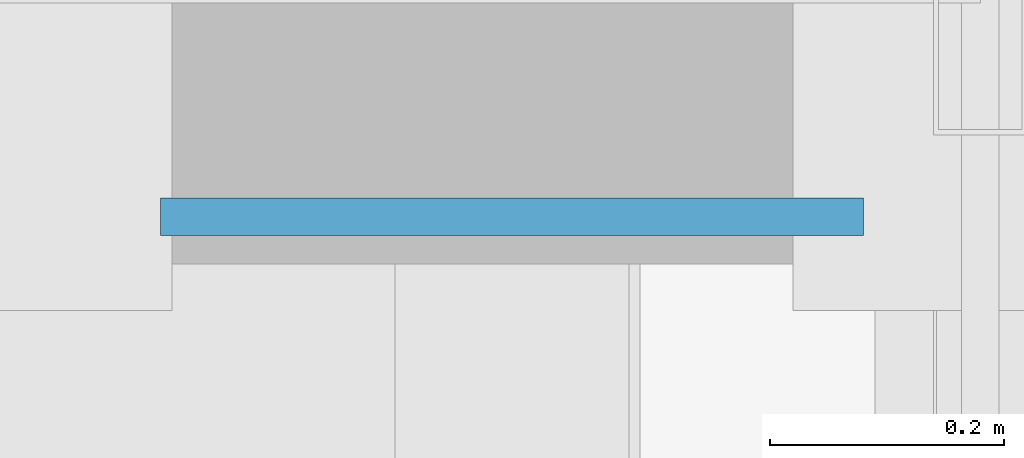
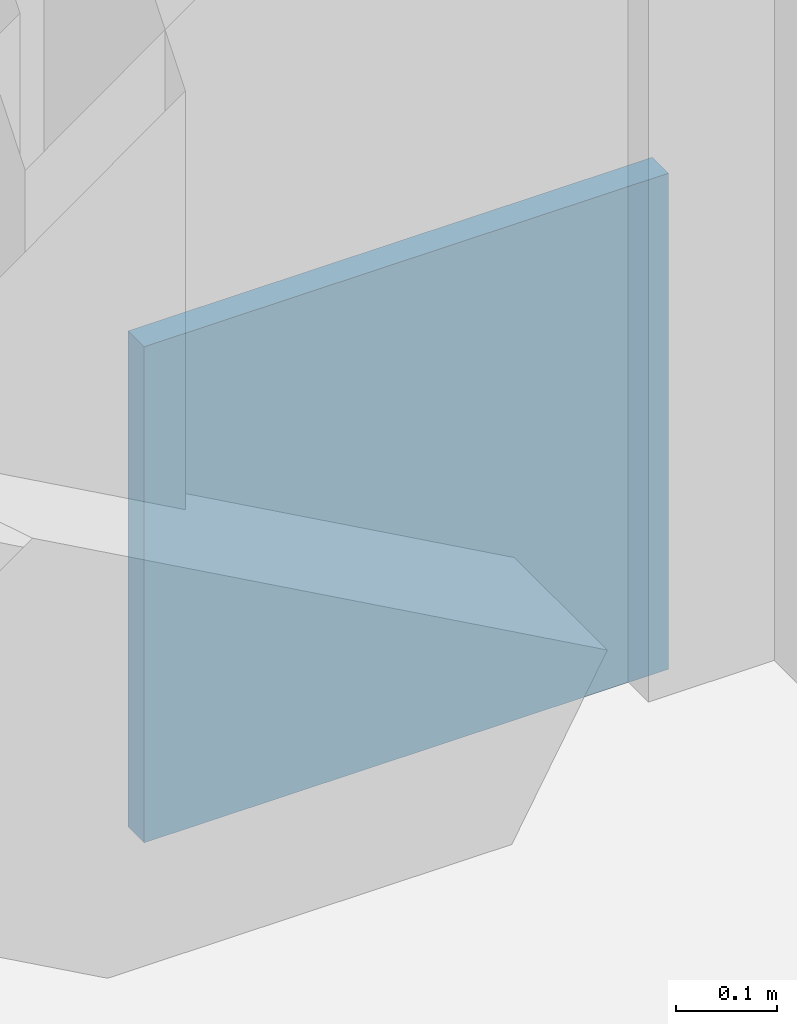
# One storey, part 22 of 25: 1 plate.
"""IFC4 building model written with IfcOpenShell, lengths in metres."""

import ifcopenshell
import ifcopenshell.guid

model = None  # the IFC model being written
_history = None  # IfcOwnerHistory: only IFC2X3 demands one
_inside = {}  # id of a spatial element -> (the spatial element, [elements in it])
_under = {}  # id of a project, library or spatial element -> (it, [spatial elements below it])
_declared = {}  # id of a project -> (the project, [libraries it declares])
_typed = {}  # id of a type object -> (the type object, [elements of that type])
_made_of = {}  # id of a material, layer set ... -> (it, [elements and type objects made of it])


def new_model(schema):
    """Start an empty IFC model of exactly this schema.

    Asked for "IFC4X3", IfcOpenShell would pick the latest addendum, in which some entities
    have other attributes; the version numbers below select the first issue.
    IFC2X3 requires an IfcOwnerHistory on every rooted entity: one is made here for all.
    """
    global model, _history
    if schema == "IFC4X3":
        model = ifcopenshell.file(schema_version=(4, 3, 0, 0))
    else:
        model = ifcopenshell.file(schema=schema)
    _inside.clear()
    _under.clear()
    _declared.clear()
    _typed.clear()
    _made_of.clear()
    _history = None
    if model.schema == "IFC2X3":
        org = make("IfcOrganization", Name="unknown")
        user = make(
            "IfcPersonAndOrganization",
            ThePerson=make("IfcPerson", FamilyName="unknown"),
            TheOrganization=org,
        )
        app = make(
            "IfcApplication",
            ApplicationDeveloper=org,
            Version="unknown",
            ApplicationFullName="unknown",
            ApplicationIdentifier="unknown",
        )
        _history = make(
            "IfcOwnerHistory",
            OwningUser=user,
            OwningApplication=app,
            ChangeAction="ADDED",
            CreationDate=0,
        )
    return model


def make(cls, **values):
    """One entity of the class cls with the attributes given. An attribute that is None is left unset."""
    return model.create_entity(
        cls, **{name: value for name, value in values.items() if value is not None}
    )


def rooted(cls, **values):
    """An entity with a GlobalId (a new one), such as an element, a storey or a relation."""
    return make(cls, GlobalId=ifcopenshell.guid.new(), OwnerHistory=_history, **values)


def si_unit(unit_type, name, prefix=None):
    """IfcSIUnit, for example si_unit("LENGTHUNIT", "METRE", prefix="MILLI")."""
    return make("IfcSIUnit", UnitType=unit_type, Prefix=prefix, Name=name)


def assignment(units):
    """IfcUnitAssignment: the units of a project."""
    return None if units is None else make("IfcUnitAssignment", Units=units)


def point(xyz):
    """IfcCartesianPoint."""
    return None if xyz is None else make("IfcCartesianPoint", Coordinates=xyz)


def direction(xyz):
    """IfcDirection."""
    return None if xyz is None else make("IfcDirection", DirectionRatios=xyz)


def frame(location, z_axis=None, x_axis=None):
    """IfcAxis2Placement3D, a coordinate frame: its origin and axes. An axis left out is left unset."""
    return make(
        "IfcAxis2Placement3D",
        Location=point(location),
        Axis=direction(z_axis),
        RefDirection=direction(x_axis),
    )


def frame_2d(location, x_axis=None):
    """IfcAxis2Placement2D, a coordinate frame in the plane: its origin and x axis."""
    return make(
        "IfcAxis2Placement2D", Location=point(location), RefDirection=direction(x_axis)
    )


def origin():
    """The frame at (0, 0, 0) with its axes left unset."""
    return frame((0.0, 0.0, 0.0))


def origin_2d():
    """The frame at (0, 0) in the plane with its x axis left unset."""
    return frame_2d((0.0, 0.0))


def place(relative_to, where):
    """IfcLocalPlacement: puts the frame where relative to a parent placement (None: the world)."""
    return make(
        "IfcLocalPlacement", PlacementRelTo=relative_to, RelativePlacement=where
    )


def context(
    kind, dimensions, precision=None, world=None, true_north=None, identifier=None
):
    """IfcGeometricRepresentationContext, for example the 3D "Model" context."""
    return make(
        "IfcGeometricRepresentationContext",
        ContextIdentifier=identifier,
        ContextType=kind,
        CoordinateSpaceDimension=dimensions,
        Precision=precision,
        WorldCoordinateSystem=world,
        TrueNorth=true_north,
    )


def subcontext(parent, identifier, kind, view, scale=None):
    """IfcGeometricRepresentationSubContext, for example "Body" below "Model"."""
    return make(
        "IfcGeometricRepresentationSubContext",
        ContextIdentifier=identifier,
        ContextType=kind,
        ParentContext=parent,
        TargetScale=scale,
        TargetView=view,
    )


def project(units=None, contexts=None):
    """IfcProject with its units and contexts."""
    return rooted(
        "IfcProject",
        Name="project",
        RepresentationContexts=contexts,
        UnitsInContext=assignment(units),
    )


def spatial(cls, under=None, at=None, **own):
    """A site, building, storey or space (cls), placed at a placement, below another one or the project."""
    s = rooted(cls, ObjectPlacement=at, **own)
    if under is not None:
        _under.setdefault(under.id(), (under, []))[1].append(s)
    return s


def profile(cls, at=None, kind="AREA", **sizes):
    """A parametric profile (cls). Its sizes go by their IFC names, for example OverallWidth=200.0."""
    return make(cls, ProfileType=kind, Position=at, **sizes)


def rectangle(**sizes):
    """IfcRectangleProfileDef."""
    return profile("IfcRectangleProfileDef", **sizes)


def extrude(swept, where, along, depth):
    """IfcExtrudedAreaSolid: the profile swept, set in the frame where, extruded along a direction by depth."""
    return make(
        "IfcExtrudedAreaSolid",
        SweptArea=swept,
        Position=where,
        ExtrudedDirection=direction(along),
        Depth=depth,
    )


def shape(context_of_items, identifier, shape_type, items):
    """IfcShapeRepresentation: the items that make up one representation, for example the "Body"."""
    return make(
        "IfcShapeRepresentation",
        ContextOfItems=context_of_items,
        RepresentationIdentifier=identifier,
        RepresentationType=shape_type,
        Items=items,
    )


def source(mapping_origin, context_of_items, identifier, shape_type, items):
    """IfcRepresentationMap: a shape defined once, which mapped items show again and again."""
    return make(
        "IfcRepresentationMap",
        MappingOrigin=mapping_origin,
        MappedRepresentation=shape(context_of_items, identifier, shape_type, items),
    )


def transform(
    local_origin,
    x_axis=None,
    y_axis=None,
    z_axis=None,
    scale=None,
    scale2=None,
    scale3=None,
    uniform=True,
):
    """IfcCartesianTransformationOperator3D, or its non-uniform kind. x_axis, y_axis, z_axis: its Axis1, 2, 3."""
    if uniform:
        return make(
            "IfcCartesianTransformationOperator3D",
            Axis1=direction(x_axis),
            Axis2=direction(y_axis),
            LocalOrigin=point(local_origin),
            Scale=scale,
            Axis3=direction(z_axis),
        )
    return make(
        "IfcCartesianTransformationOperator3DnonUniform",
        Axis1=direction(x_axis),
        Axis2=direction(y_axis),
        LocalOrigin=point(local_origin),
        Scale=scale,
        Axis3=direction(z_axis),
        Scale2=scale2,
        Scale3=scale3,
    )


def mapped(mapping_source, mapping_target):
    """IfcMappedItem: shows the shape of a source again, moved by a transform."""
    return make(
        "IfcMappedItem", MappingSource=mapping_source, MappingTarget=mapping_target
    )


def material(Name=None, Category=None):
    """IfcMaterial."""
    return make("IfcMaterial", Name=Name, Category=Category)


def layer(
    of_material, thickness, ventilated=None, Name=None, Category=None, Priority=None
):
    """IfcMaterialLayer: one layer of a wall or slab, of a material (None: an air gap)."""
    return make(
        "IfcMaterialLayer",
        Material=of_material,
        LayerThickness=thickness,
        IsVentilated=ventilated,
        Name=Name,
        Category=Category,
        Priority=Priority,
    )


def layer_set(layers, Name=None):
    """IfcMaterialLayerSet."""
    return make("IfcMaterialLayerSet", MaterialLayers=layers, LayerSetName=Name)


def made_of(thing, what):
    """Note that an element or type object is made of a material, layer set ...; save() writes the relation."""
    if what is not None:
        _made_of.setdefault(what.id(), (what, []))[1].append(thing)
    return thing


def type_object(cls, material=None, **own):
    """A type object (cls), such as IfcWallType, which elements share."""
    return made_of(rooted(cls, **own), material)


def element(
    cls,
    number,
    at=None,
    inside=None,
    cuts=None,
    type_object=None,
    material=None,
    context=None,
    identifier="Body",
    shape_type=None,
    held_by="IfcProductDefinitionShape",
    body=None,
    shapes=None,
    **own,
):
    """One element of the class cls, such as IfcWall. Its Tag is "e" and its number.

    at: its placement. inside: the storey or other place that contains it. cuts: it is an
    opening in that element (IfcRelVoidsElement). A single representation is given by context,
    identifier, shape_type and body (its items); several are given by shapes. held_by: the class
    of the entity that holds the representations. save() writes the other relations.
    """
    e = rooted(cls, Tag="e%d" % number, ObjectPlacement=at, **own)
    if body is not None:
        shapes = [shape(context, identifier, shape_type, body)]
    if shapes is not None:
        e.Representation = make(held_by, Representations=shapes)
    if inside is not None:
        _inside.setdefault(inside.id(), (inside, []))[1].append(e)
    if cuts is not None:
        rooted(
            "IfcRelVoidsElement", RelatingBuildingElement=cuts, RelatedOpeningElement=e
        )
    if type_object is not None:
        _typed.setdefault(type_object.id(), (type_object, []))[1].append(e)
    return made_of(e, material)


def aggregate(whole, parts):
    """IfcRelAggregates: a whole, such as a stair, and the parts it consists of."""
    return rooted("IfcRelAggregates", RelatingObject=whole, RelatedObjects=parts)


def save(model, path):
    """Write the relations noted so far, then the file.

    IfcRelAggregates (storeys below a building ...), IfcRelContainedInSpatialStructure (elements
    in a storey), IfcRelDefinesByType, IfcRelAssociatesMaterial and IfcRelDeclares: one each for
    every whole, place, type object, material and project.
    """
    for whole, parts in _under.values():
        aggregate(whole, parts)
    for where, things in _inside.values():
        rooted(
            "IfcRelContainedInSpatialStructure",
            RelatedElements=things,
            RelatingStructure=where,
        )
    for kind, things in _typed.values():
        rooted("IfcRelDefinesByType", RelatedObjects=things, RelatingType=kind)
    for what, things in _made_of.values():
        rooted("IfcRelAssociatesMaterial", RelatedObjects=things, RelatingMaterial=what)
    for by, libraries in _declared.values():
        rooted("IfcRelDeclares", RelatingContext=by, RelatedDefinitions=libraries)
    model.write(path)


model = new_model("IFC4")

# Units and contexts
model_context = context("Model", 3, precision=1e-05, world=origin(), true_north=direction((0.0, 1.0)))
body_context = subcontext(model_context, "Body", "Model", "MODEL_VIEW")
ifc_project = project(units=[si_unit("LENGTHUNIT", "METRE"), si_unit("AREAUNIT", "SQUARE_METRE"), si_unit("VOLUMEUNIT", "CUBIC_METRE"), si_unit("PLANEANGLEUNIT", "RADIAN"), si_unit("MASSUNIT", "GRAM", prefix="KILO")], contexts=[model_context])

# Site, building, storey
site_placement = place(None, origin())
site = spatial("IfcSite", under=ifc_project, at=site_placement, CompositionType="ELEMENT")
building_placement = place(site_placement, origin())
building = spatial("IfcBuilding", under=site, at=building_placement, Name="Trelvane Seafront Commons", CompositionType="ELEMENT")
storey_placement = place(building_placement, frame((0.0, 0.0, 320.89990234375)))
storey = spatial("IfcBuildingStorey", under=building, at=storey_placement, Name="L83", CompositionType="ELEMENT", Elevation=320.89990234375)

# Plate
ifc_material = material(Name="Steel SM355 (S355)", Category="steel")
ifc_layer = layer(ifc_material, 0.031982421875, Name="STR-PLT-GUS2")
ifc_layer_set = layer_set([ifc_layer], Name="Steel SM355 (S355)")
plate_type = type_object("IfcPlateType", Name="STR-PLT-GUS2", PredefinedType="SHEET", material=ifc_layer_set)
shared_shape = source(origin(), body_context, "Body", "SweptSolid", [
    extrude(rectangle(XDim=0.60009765625, YDim=0.031982421875, at=origin_2d()), origin(), (0.0, 0.0, 1.0), 0.60009765625),
])
plate_placement = place(storey_placement, frame((65.60009765625, 44.10009765625, -0.02001953125), z_axis=(0.0, 0.0, 1.0), x_axis=(1.0, 0.0, 0.0)))
element("IfcPlate", 1, at=plate_placement, inside=storey, type_object=plate_type, Name="L83 Brace Connection Gusset Plate GP-141", PredefinedType="SHEET", context=body_context, shape_type="MappedRepresentation", body=[
    mapped(shared_shape, transform((0.0, 0.0, 0.0), x_axis=(1.0, 0.0, 0.0), y_axis=(0.0, 1.0, 0.0), z_axis=(0.0, 0.0, 1.0), scale=1.0)),
])

save(model, "model.ifc")
